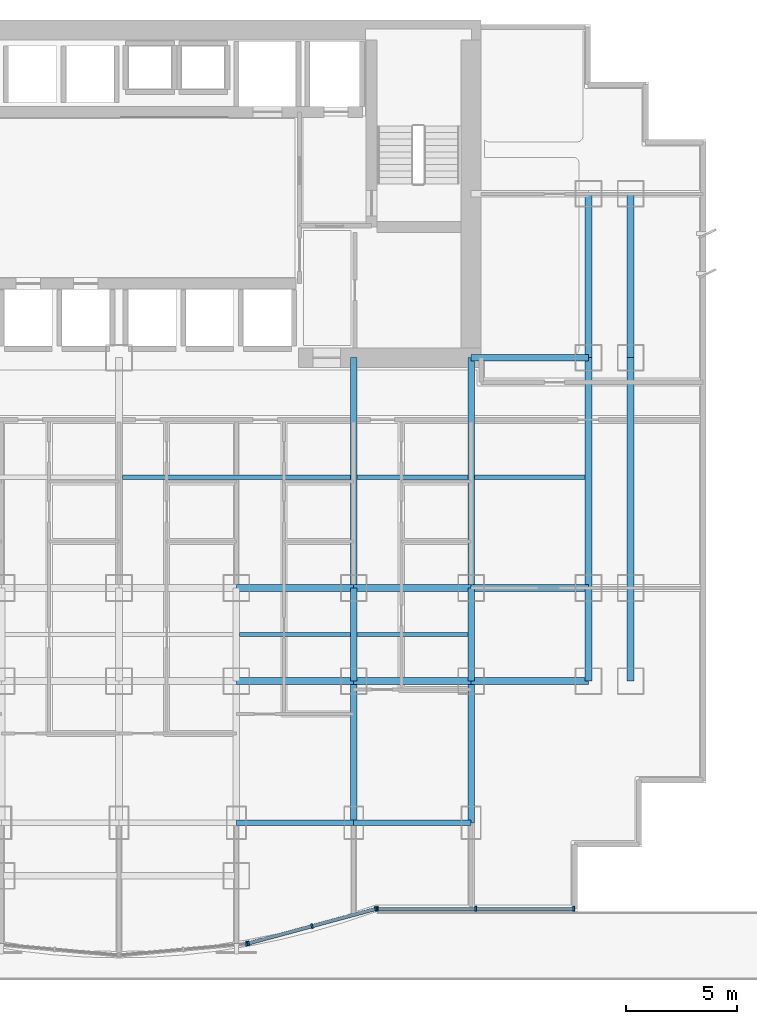
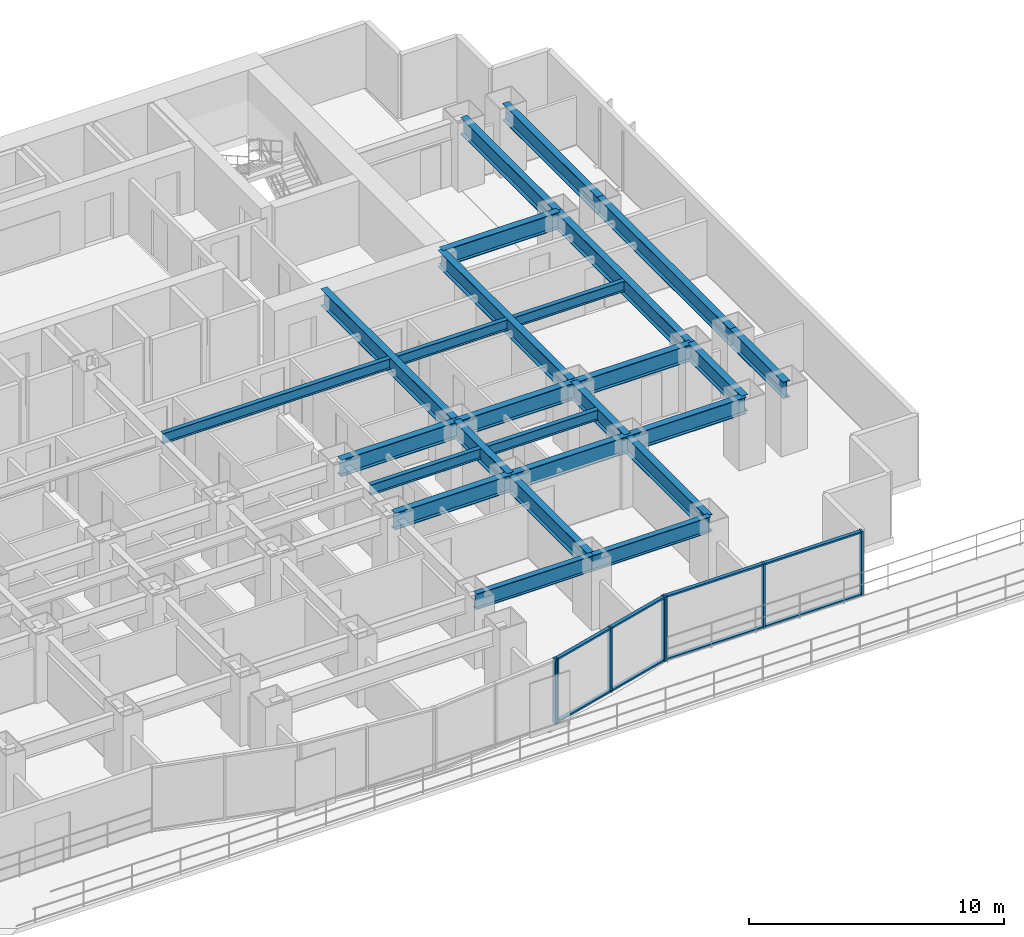
# One storey, part 3 of 11: 26 beams, 15 members, 3 elements without a shape of their own.
"""IFC4 building model written with IfcOpenShell, lengths in metres."""

from ifc_helpers import new_model, si_unit, direction, frame, origin, origin_2d, place, context, subcontext, project, spatial, rectangle, i_section, extrude, source, transform, mapped, material, layer, layer_set, material_profile, profile_set, type_object, element, aggregate, save


model = new_model("IFC4")

# Units and contexts
model_context = context("Model", 3, precision=1e-05, world=origin(), true_north=direction((0.0, 1.0)))
body_context = subcontext(model_context, "Body", "Model", "MODEL_VIEW")
ifc_project = project(units=[si_unit("LENGTHUNIT", "METRE"), si_unit("AREAUNIT", "SQUARE_METRE"), si_unit("VOLUMEUNIT", "CUBIC_METRE"), si_unit("PLANEANGLEUNIT", "RADIAN"), si_unit("MASSUNIT", "GRAM", prefix="KILO")], contexts=[model_context])

# Site, building, storey
site_placement = place(None, origin())
site = spatial("IfcSite", under=ifc_project, at=site_placement, CompositionType="ELEMENT")
building_placement = place(site_placement, origin())
building = spatial("IfcBuilding", under=site, at=building_placement, Name="Qianlan Lanfeng Residences", CompositionType="ELEMENT")
storey_placement = place(building_placement, frame((0.0, 0.0, 24.199951171875)))
storey = spatial("IfcBuildingStorey", under=building, at=storey_placement, Name="L05", CompositionType="ELEMENT", Elevation=24.199951171875)

# Beams
ifc_material_1 = material(Name="Steel SN490B", Category="steel")
ifc_material_profile_1 = material_profile(ifc_material_1, i_section(OverallWidth=0.300048828125, OverallDepth=0.800048828125, WebThickness=0.01611328125, FlangeThickness=0.028076171875, at=origin_2d()), Name="H 800x300x16x28")
ifc_profile_set_1 = profile_set([ifc_material_profile_1], Name="Steel SN490B")
beam_type_1 = type_object("IfcBeamType", Name="G-950", PredefinedType="BEAM", material=ifc_profile_set_1)
beam_1_placement = place(storey_placement, frame((31.800048828125, 10.60009765625, 2.679931640625), z_axis=(1.0, 0.0, 0.0), x_axis=(0.0, 1.0, 0.0)))
element("IfcBeam", 1, at=beam_1_placement, inside=storey, type_object=beam_type_1, Name="Structural beam G-950", PredefinedType="BEAM", context=body_context, shape_type="SweptSolid", body=[
    extrude(i_section(OverallWidth=0.300048828125, OverallDepth=0.800048828125, WebThickness=0.01611328125, FlangeThickness=0.028076171875, at=origin_2d()), origin(), (0.0, 0.0, 1.0), 5.300048828125),
])
beam_2_placement = place(storey_placement, frame((37.10009765625, 10.60009765625, 2.679931640625), z_axis=(1.0, 0.0, 0.0), x_axis=(0.0, 1.0, 0.0)))
element("IfcBeam", 2, at=beam_2_placement, inside=storey, type_object=beam_type_1, Name="Structural beam G-950", PredefinedType="BEAM", context=body_context, shape_type="SweptSolid", body=[
    extrude(i_section(OverallWidth=0.300048828125, OverallDepth=0.800048828125, WebThickness=0.01611328125, FlangeThickness=0.028076171875, at=origin_2d()), origin(), (0.0, 0.0, 1.0), 5.2998046875),
])
for number, where, z_axis, x_axis, name in (
    (3, (42.39990234375, 10.60009765625, 2.679931640625), (1.0, 0.0, 0.0), (0.0, 1.0, 0.0), "Structural beam G-950"),
    (4, (31.800048828125, 14.800048828125, 2.679931640625), (1.0, 0.0, 0.0), (0.0, 1.0, 0.0), "Structural beam G-950"),
):
    element("IfcBeam", number, at=place(storey_placement, frame(where, z_axis=z_axis, x_axis=x_axis)), inside=storey, type_object=beam_type_1, Name=name, PredefinedType="BEAM", context=body_context, shape_type="SweptSolid", body=[
        extrude(i_section(OverallWidth=0.300048828125, OverallDepth=0.800048828125, WebThickness=0.01611328125, FlangeThickness=0.028076171875, at=origin_2d()), origin(), (0.0, 0.0, 1.0), 5.300048828125),
    ])
beam_3_placement = place(storey_placement, frame((37.10009765625, 14.800048828125, 2.679931640625), z_axis=(1.0, 0.0, 0.0), x_axis=(0.0, 1.0, 0.0)))
element("IfcBeam", 5, at=beam_3_placement, inside=storey, type_object=beam_type_1, Name="Structural beam G-950", PredefinedType="BEAM", context=body_context, shape_type="SweptSolid", body=[
    extrude(i_section(OverallWidth=0.300048828125, OverallDepth=0.800048828125, WebThickness=0.01611328125, FlangeThickness=0.028076171875, at=origin_2d()), origin(), (0.0, 0.0, 1.0), 5.2998046875),
])
for number, where, z_axis, x_axis, name in (
    (6, (42.39990234375, 14.800048828125, 2.679931640625), (1.0, 0.0, 0.0), (0.0, 1.0, 0.0), "Structural beam G-950"),
    (7, (42.39990234375, 25.199951171875, 2.679931640625), (1.0, 0.0, 0.0), (0.0, 1.0, 0.0), "Structural beam G-950"),
):
    element("IfcBeam", number, at=place(storey_placement, frame(where, z_axis=z_axis, x_axis=x_axis)), inside=storey, type_object=beam_type_1, Name=name, PredefinedType="BEAM", context=body_context, shape_type="SweptSolid", body=[
        extrude(i_section(OverallWidth=0.300048828125, OverallDepth=0.800048828125, WebThickness=0.01611328125, FlangeThickness=0.028076171875, at=origin_2d()), origin(), (0.0, 0.0, 1.0), 5.300048828125),
    ])
beam_4_placement = place(storey_placement, frame((37.10009765625, 4.199951171875, 2.679931640625), z_axis=(0.0, 1.0, 0.0), x_axis=(-1.0, 0.0, 0.0)))
element("IfcBeam", 8, at=beam_4_placement, inside=storey, type_object=beam_type_1, Name="Structural beam G-950", PredefinedType="BEAM", context=body_context, shape_type="SweptSolid", body=[
    extrude(i_section(OverallWidth=0.300048828125, OverallDepth=0.800048828125, WebThickness=0.01611328125, FlangeThickness=0.028076171875, at=origin_2d()), origin(), (0.0, 0.0, 1.0), 6.400146484375),
])
beam_5_placement = place(storey_placement, frame((37.10009765625, 10.60009765625, 2.679931640625), z_axis=(0.0, 1.0, 0.0), x_axis=(-1.0, 0.0, 0.0)))
element("IfcBeam", 9, at=beam_5_placement, inside=storey, type_object=beam_type_1, Name="Structural beam G-950", PredefinedType="BEAM", context=body_context, shape_type="SweptSolid", body=[
    extrude(i_section(OverallWidth=0.300048828125, OverallDepth=0.800048828125, WebThickness=0.01611328125, FlangeThickness=0.028076171875, at=origin_2d()), origin(), (0.0, 0.0, 1.0), 4.199951171875),
])
beam_6_placement = place(storey_placement, frame((37.10009765625, 14.800048828125, 2.679931640625), z_axis=(0.0, 1.0, 0.0), x_axis=(-1.0, 0.0, 0.0)))
element("IfcBeam", 10, at=beam_6_placement, inside=storey, type_object=beam_type_1, Name="Structural beam G-950", PredefinedType="BEAM", context=body_context, shape_type="SweptSolid", body=[
    extrude(i_section(OverallWidth=0.300048828125, OverallDepth=0.800048828125, WebThickness=0.01611328125, FlangeThickness=0.028076171875, at=origin_2d()), origin(), (0.0, 0.0, 1.0), 10.39990234375),
])
beam_7_placement = place(storey_placement, frame((42.39990234375, 4.199951171875, 2.679931640625), z_axis=(0.0, 1.0, 0.0), x_axis=(-1.0, 0.0, 0.0)))
element("IfcBeam", 11, at=beam_7_placement, inside=storey, type_object=beam_type_1, Name="Structural beam G-950", PredefinedType="BEAM", context=body_context, shape_type="SweptSolid", body=[
    extrude(i_section(OverallWidth=0.300048828125, OverallDepth=0.800048828125, WebThickness=0.01611328125, FlangeThickness=0.028076171875, at=origin_2d()), origin(), (0.0, 0.0, 1.0), 6.400146484375),
])
beam_8_placement = place(storey_placement, frame((42.39990234375, 10.60009765625, 2.679931640625), z_axis=(0.0, 1.0, 0.0), x_axis=(-1.0, 0.0, 0.0)))
element("IfcBeam", 12, at=beam_8_placement, inside=storey, type_object=beam_type_1, Name="Structural beam G-950", PredefinedType="BEAM", context=body_context, shape_type="SweptSolid", body=[
    extrude(i_section(OverallWidth=0.300048828125, OverallDepth=0.800048828125, WebThickness=0.01611328125, FlangeThickness=0.028076171875, at=origin_2d()), origin(), (0.0, 0.0, 1.0), 4.199951171875),
])
beam_9_placement = place(storey_placement, frame((42.39990234375, 14.800048828125, 2.679931640625), z_axis=(0.0, 1.0, 0.0), x_axis=(-1.0, 0.0, 0.0)))
element("IfcBeam", 13, at=beam_9_placement, inside=storey, type_object=beam_type_1, Name="Structural beam G-950", PredefinedType="BEAM", context=body_context, shape_type="SweptSolid", body=[
    extrude(i_section(OverallWidth=0.300048828125, OverallDepth=0.800048828125, WebThickness=0.01611328125, FlangeThickness=0.028076171875, at=origin_2d()), origin(), (0.0, 0.0, 1.0), 10.39990234375),
])
beam_10_placement = place(storey_placement, frame((47.699951171875, 10.60009765625, 2.679931640625), z_axis=(0.0, 1.0, 0.0), x_axis=(-1.0, 0.0, 0.0)))
element("IfcBeam", 14, at=beam_10_placement, inside=storey, type_object=beam_type_1, Name="Structural beam G-950", PredefinedType="BEAM", context=body_context, shape_type="SweptSolid", body=[
    extrude(i_section(OverallWidth=0.300048828125, OverallDepth=0.800048828125, WebThickness=0.01611328125, FlangeThickness=0.028076171875, at=origin_2d()), origin(), (0.0, 0.0, 1.0), 4.199951171875),
])
beam_11_placement = place(storey_placement, frame((47.699951171875, 14.800048828125, 2.679931640625), z_axis=(0.0, 1.0, 0.0), x_axis=(-1.0, 0.0, 0.0)))
element("IfcBeam", 15, at=beam_11_placement, inside=storey, type_object=beam_type_1, Name="Structural beam G-950", PredefinedType="BEAM", context=body_context, shape_type="SweptSolid", body=[
    extrude(i_section(OverallWidth=0.300048828125, OverallDepth=0.800048828125, WebThickness=0.01611328125, FlangeThickness=0.028076171875, at=origin_2d()), origin(), (0.0, 0.0, 1.0), 10.39990234375),
])
beam_12_placement = place(storey_placement, frame((47.699951171875, 25.199951171875, 2.679931640625), z_axis=(0.0, 1.0, 0.0), x_axis=(-1.0, 0.0, 0.0)))
element("IfcBeam", 16, at=beam_12_placement, inside=storey, type_object=beam_type_1, Name="Structural beam G-950", PredefinedType="BEAM", context=body_context, shape_type="SweptSolid", body=[
    extrude(i_section(OverallWidth=0.300048828125, OverallDepth=0.800048828125, WebThickness=0.01611328125, FlangeThickness=0.028076171875, at=origin_2d()), origin(), (0.0, 0.0, 1.0), 7.400146484375),
])
beam_13_placement = place(storey_placement, frame((49.60009765625, 10.60009765625, 2.679931640625), z_axis=(0.0, 1.0, 0.0), x_axis=(-1.0, 0.0, 0.0)))
element("IfcBeam", 17, at=beam_13_placement, inside=storey, type_object=beam_type_1, Name="Structural beam G-950", PredefinedType="BEAM", context=body_context, shape_type="SweptSolid", body=[
    extrude(i_section(OverallWidth=0.300048828125, OverallDepth=0.800048828125, WebThickness=0.01611328125, FlangeThickness=0.028076171875, at=origin_2d()), origin(), (0.0, 0.0, 1.0), 4.199951171875),
])
beam_14_placement = place(storey_placement, frame((49.60009765625, 14.800048828125, 2.679931640625), z_axis=(0.0, 1.0, 0.0), x_axis=(-1.0, 0.0, 0.0)))
element("IfcBeam", 18, at=beam_14_placement, inside=storey, type_object=beam_type_1, Name="Structural beam G-950", PredefinedType="BEAM", context=body_context, shape_type="SweptSolid", body=[
    extrude(i_section(OverallWidth=0.300048828125, OverallDepth=0.800048828125, WebThickness=0.01611328125, FlangeThickness=0.028076171875, at=origin_2d()), origin(), (0.0, 0.0, 1.0), 10.39990234375),
])
beam_15_placement = place(storey_placement, frame((49.60009765625, 25.199951171875, 2.679931640625), z_axis=(0.0, 1.0, 0.0), x_axis=(-1.0, 0.0, 0.0)))
element("IfcBeam", 19, at=beam_15_placement, inside=storey, type_object=beam_type_1, Name="Structural beam G-950", PredefinedType="BEAM", context=body_context, shape_type="SweptSolid", body=[
    extrude(i_section(OverallWidth=0.300048828125, OverallDepth=0.800048828125, WebThickness=0.01611328125, FlangeThickness=0.028076171875, at=origin_2d()), origin(), (0.0, 0.0, 1.0), 7.400146484375),
])
ifc_material_profile_2 = material_profile(ifc_material_1, i_section(OverallWidth=0.199951171875, OverallDepth=0.5, WebThickness=0.010009765625, FlangeThickness=0.01611328125, at=origin_2d()), Name="H 500x200x10x16")
ifc_profile_set_2 = profile_set([ifc_material_profile_2], Name="Steel SN490B")
beam_type_2 = type_object("IfcBeamType", Name="J-500", PredefinedType="JOIST", material=ifc_profile_set_2)
for number, where, z_axis, x_axis, name in (
    (20, (31.949951171875, 12.699951171875, 2.830078125), (1.0, 0.0, 0.0), (0.0, 1.0, 0.0), "Structural beam J-500"),
    (21, (37.25, 12.699951171875, 2.830078125), (1.0, 0.0, 0.0), (0.0, 1.0, 0.0), "Structural beam J-500"),
):
    element("IfcBeam", number, at=place(storey_placement, frame(where, z_axis=z_axis, x_axis=x_axis)), inside=storey, type_object=beam_type_2, Name=name, PredefinedType="JOIST", context=body_context, shape_type="SweptSolid", body=[
        extrude(i_section(OverallWidth=0.199951171875, OverallDepth=0.5, WebThickness=0.010009765625, FlangeThickness=0.01611328125, at=origin_2d()), origin(), (0.0, 0.0, 1.0), 5.0),
    ])
beam_16_placement = place(storey_placement, frame((26.64990234375, 19.800048828125, 2.830078125), z_axis=(1.0, 0.0, 0.0), x_axis=(0.0, 1.0, 0.0)))
element("IfcBeam", 22, at=beam_16_placement, inside=storey, type_object=beam_type_2, Name="Structural beam J-500", PredefinedType="JOIST", context=body_context, shape_type="SweptSolid", body=[
    extrude(i_section(OverallWidth=0.199951171875, OverallDepth=0.5, WebThickness=0.010009765625, FlangeThickness=0.01611328125, at=origin_2d()), origin(), (0.0, 0.0, 1.0), 10.300048828125),
])
for number, where, z_axis, x_axis, name in (
    (23, (37.25, 19.800048828125, 2.830078125), (1.0, 0.0, 0.0), (0.0, 1.0, 0.0), "Structural beam J-500"),
    (24, (42.550048828125, 19.800048828125, 2.830078125), (1.0, 0.0, 0.0), (0.0, 1.0, 0.0), "Structural beam J-500"),
):
    element("IfcBeam", number, at=place(storey_placement, frame(where, z_axis=z_axis, x_axis=x_axis)), inside=storey, type_object=beam_type_2, Name=name, PredefinedType="JOIST", context=body_context, shape_type="SweptSolid", body=[
        extrude(i_section(OverallWidth=0.199951171875, OverallDepth=0.5, WebThickness=0.010009765625, FlangeThickness=0.01611328125, at=origin_2d()), origin(), (0.0, 0.0, 1.0), 5.0),
    ])
ifc_material_profile_3 = material_profile(ifc_material_1, i_section(OverallWidth=0.25, OverallDepth=0.75, WebThickness=0.013916015625, FlangeThickness=0.02490234375, at=origin_2d()), Name="H 750x250x14x25")
ifc_profile_set_3 = profile_set([ifc_material_profile_3], Name="Steel SN490B")
beam_type_3 = type_object("IfcBeamType", Name="SG-850", PredefinedType="SPANDREL", material=ifc_profile_set_3)
beam_17_placement = place(storey_placement, frame((31.800048828125, 4.199951171875, 2.705078125), z_axis=(1.0, 0.0, 0.0), x_axis=(0.0, 1.0, 0.0)))
element("IfcBeam", 25, at=beam_17_placement, inside=storey, type_object=beam_type_3, Name="Structural beam SG-850", PredefinedType="SPANDREL", context=body_context, shape_type="SweptSolid", body=[
    extrude(i_section(OverallWidth=0.25, OverallDepth=0.75, WebThickness=0.013916015625, FlangeThickness=0.02490234375, at=origin_2d()), origin(), (0.0, 0.0, 1.0), 5.300048828125),
])
beam_18_placement = place(storey_placement, frame((37.10009765625, 4.199951171875, 2.705078125), z_axis=(1.0, 0.0, 0.0), x_axis=(0.0, 1.0, 0.0)))
element("IfcBeam", 26, at=beam_18_placement, inside=storey, type_object=beam_type_3, Name="Structural beam SG-850", PredefinedType="SPANDREL", context=body_context, shape_type="SweptSolid", body=[
    extrude(i_section(OverallWidth=0.25, OverallDepth=0.75, WebThickness=0.013916015625, FlangeThickness=0.02490234375, at=origin_2d()), origin(), (0.0, 0.0, 1.0), 5.2998046875),
])

# Curtain wall, member
ifc_material_2 = material(Name="Anodised Bronze Aluminium 6063-T6", Category="aluminium")
ifc_layer = layer(ifc_material_2, 0.219970703125)
ifc_layer_set = layer_set([ifc_layer], Name="Anodised Bronze Aluminium 6063-T6")
curtain_wall_type = type_object("IfcCurtainWallType", Name="CW-02", PredefinedType="NOTDEFINED", material=ifc_layer_set)
curtain_wall_1_placement = place(storey_placement, origin())
curtain_wall_1 = element("IfcCurtainWall", 27, at=curtain_wall_1_placement, inside=storey, type_object=curtain_wall_type, Name="L05 Unitised Curtain Wall CWR-L05-03 (CW-02)", PredefinedType="NOTDEFINED")
ifc_material_profile_4 = material_profile(ifc_material_2, rectangle(XDim=0.080078125, YDim=0.2099609375, at=origin_2d()), Name="ALU MULLION 80x210")
ifc_profile_set_4 = profile_set([ifc_material_profile_4], Name="Anodised Bronze Aluminium 6063-T6")
member_type_1 = type_object("IfcMemberType", Name="CWM-220", PredefinedType="MULLION", material=ifc_profile_set_4)
shared_shape_1 = source(origin(), body_context, "Body", "SweptSolid", [
    extrude(rectangle(XDim=0.080078125, YDim=0.2099609375, at=origin_2d()), origin(), (0.0, 0.0, 1.0), 3.080078125),
])
member_1_placement = place(storey_placement, frame((32.26416015625, -1.260498046875, 0.0), z_axis=(0.0, 0.0, 1.0), x_axis=(0.995964677764, 0.089746089862, 0.0)))
member_1 = element("IfcMember", 28, at=member_1_placement, type_object=member_type_1, Name="CWR-L05-03 Mullion 3", PredefinedType="MULLION", context=body_context, shape_type="MappedRepresentation", body=[
    mapped(shared_shape_1, transform((0.0, 0.0, 0.0), scale=1.0)),
])
aggregate(curtain_wall_1, [member_1])

# Curtain wall, members
curtain_wall_2_placement = place(storey_placement, origin())
curtain_wall_2 = element("IfcCurtainWall", 29, at=curtain_wall_2_placement, inside=storey, type_object=curtain_wall_type, Name="L05 Unitised Curtain Wall CWR-L05-04 (CW-02)", PredefinedType="NOTDEFINED")
member_2_placement = place(storey_placement, frame((32.342529296875, -1.24658203125, 0.0), z_axis=(0.0, 0.0, 1.0), x_axis=(0.9652627173, 0.261281240412, 0.0)))
member_2 = element("IfcMember", 30, at=member_2_placement, type_object=member_type_1, Name="CWR-L05-04 Mullion 1", PredefinedType="MULLION", context=body_context, shape_type="MappedRepresentation", body=[
    mapped(shared_shape_1, transform((0.0, 0.0, 0.0), scale=1.0)),
])
member_3_placement = place(storey_placement, frame((35.217041015625, -0.468505859375, 0.0), z_axis=(0.0, 0.0, 1.0), x_axis=(0.9652627173, 0.261281240412, 0.0)))
member_3 = element("IfcMember", 31, at=member_3_placement, type_object=member_type_1, Name="CWR-L05-04 Mullion 2", PredefinedType="MULLION", context=body_context, shape_type="MappedRepresentation", body=[
    mapped(shared_shape_1, transform((0.0, 0.0, 0.0), scale=1.0)),
])
member_4_placement = place(storey_placement, frame((38.09130859375, 0.3095703125, 0.0), z_axis=(0.0, 0.0, 1.0), x_axis=(0.9652627173, 0.261281240412, 0.0)))
member_4 = element("IfcMember", 32, at=member_4_placement, type_object=member_type_1, Name="CWR-L05-04 Mullion 3", PredefinedType="MULLION", context=body_context, shape_type="MappedRepresentation", body=[
    mapped(shared_shape_1, transform((0.0, 0.0, 0.0), scale=1.0)),
])

curtain_wall_3_placement = place(storey_placement, origin())
curtain_wall_3 = element("IfcCurtainWall", 33, at=curtain_wall_3_placement, inside=storey, type_object=curtain_wall_type, Name="L05 Unitised Curtain Wall CWR-L05-05 (CW-02)", PredefinedType="NOTDEFINED")
member_5_placement = place(storey_placement, frame((38.169921875, 0.320068359375, 0.0), z_axis=(0.0, 0.0, 1.0), x_axis=(1.0, 0.0, 0.0)))
member_5 = element("IfcMember", 34, at=member_5_placement, type_object=member_type_1, Name="CWR-L05-05 Mullion 1", PredefinedType="MULLION", context=body_context, shape_type="MappedRepresentation", body=[
    mapped(shared_shape_1, transform((0.0, 0.0, 0.0), scale=1.0)),
])
member_6_placement = place(storey_placement, frame((42.60498046875, 0.320068359375, 0.0), z_axis=(0.0, 0.0, 1.0), x_axis=(1.0, 0.0, 0.0)))
member_6 = element("IfcMember", 35, at=member_6_placement, type_object=member_type_1, Name="CWR-L05-05 Mullion 2", PredefinedType="MULLION", context=body_context, shape_type="MappedRepresentation", body=[
    mapped(shared_shape_1, transform((0.0, 0.0, 0.0), scale=1.0)),
])
member_7_placement = place(storey_placement, frame((47.0400390625, 0.320068359375, 0.0), z_axis=(0.0, 0.0, 1.0), x_axis=(1.0, 0.0, 0.0)))
member_7 = element("IfcMember", 36, at=member_7_placement, type_object=member_type_1, Name="CWR-L05-05 Mullion 3", PredefinedType="MULLION", context=body_context, shape_type="MappedRepresentation", body=[
    mapped(shared_shape_1, transform((0.0, 0.0, 0.0), scale=1.0)),
])

# Member
ifc_material_profile_5 = material_profile(ifc_material_2, rectangle(XDim=0.080078125, YDim=0.159912109375, at=origin_2d()), Name="ALU TRANSOM 80x160")
ifc_profile_set_5 = profile_set([ifc_material_profile_5], Name="Anodised Bronze Aluminium 6063-T6")
member_type_2 = type_object("IfcMemberType", Name="CWT-180", PredefinedType="USERDEFINED", material=ifc_profile_set_5)
shared_shape_2 = source(origin(), body_context, "Body", "SweptSolid", [
    extrude(rectangle(XDim=0.080078125, YDim=0.159912109375, at=origin_2d()), origin(), (0.0, 0.0, 1.0), 2.897705078125),
])
member_8_placement = place(storey_placement, frame((35.255615234375, -0.4580078125, 0.0400390625), z_axis=(0.965267548724, 0.261263390817, 0.0), x_axis=(0.0, 0.0, 1.0)))
member_8 = element("IfcMember", 37, at=member_8_placement, type_object=member_type_2, Name="CWR-L05-04 Transom 2-BOT", ObjectType="TRANSOM", PredefinedType="USERDEFINED", context=body_context, shape_type="MappedRepresentation", body=[
    mapped(shared_shape_2, transform((0.0, 0.0, 0.0), scale=1.0)),
])

member_9_placement = place(storey_placement, frame((35.255615234375, -0.4580078125, 3.0400390625), z_axis=(0.965267548724, 0.261263390817, 0.0), x_axis=(0.0, 0.0, 1.0)))
member_9 = element("IfcMember", 38, at=member_9_placement, type_object=member_type_2, Name="CWR-L05-04 Transom 2-TOP", ObjectType="TRANSOM", PredefinedType="USERDEFINED", context=body_context, shape_type="MappedRepresentation", body=[
    mapped(shared_shape_2, transform((0.0, 0.0, 0.0), scale=1.0)),
])

shared_shape_3 = source(origin(), body_context, "Body", "SweptSolid", [
    extrude(rectangle(XDim=0.080078125, YDim=0.159912109375, at=origin_2d()), origin(), (0.0, 0.0, 1.0), 2.89794921875),
])
member_10_placement = place(storey_placement, frame((32.381103515625, -1.236083984375, 0.0400390625), z_axis=(0.965273298897, 0.261242145215, 0.0), x_axis=(0.0, 0.0, 1.0)))
member_10 = element("IfcMember", 39, at=member_10_placement, type_object=member_type_2, Name="CWR-L05-04 Transom 1-BOT", ObjectType="TRANSOM", PredefinedType="USERDEFINED", context=body_context, shape_type="MappedRepresentation", body=[
    mapped(shared_shape_3, transform((0.0, 0.0, 0.0), scale=1.0)),
])

member_11_placement = place(storey_placement, frame((32.381103515625, -1.236083984375, 3.0400390625), z_axis=(0.965273298897, 0.261242145215, 0.0), x_axis=(0.0, 0.0, 1.0)))
member_11 = element("IfcMember", 40, at=member_11_placement, type_object=member_type_2, Name="CWR-L05-04 Transom 1-TOP", ObjectType="TRANSOM", PredefinedType="USERDEFINED", context=body_context, shape_type="MappedRepresentation", body=[
    mapped(shared_shape_3, transform((0.0, 0.0, 0.0), scale=1.0)),
])

aggregate(curtain_wall_2, [member_2, member_3, member_4, member_10, member_11, member_8, member_9])

shared_shape_4 = source(origin(), body_context, "Body", "SweptSolid", [
    extrude(rectangle(XDim=0.080078125, YDim=0.159912109375, at=origin_2d()), origin(), (0.0, 0.0, 1.0), 4.35498046875),
])
member_12_placement = place(storey_placement, frame((38.2099609375, 0.320068359375, 0.0400390625), z_axis=(1.0, 0.0, 0.0), x_axis=(0.0, 0.0, 1.0)))
member_12 = element("IfcMember", 41, at=member_12_placement, type_object=member_type_2, Name="CWR-L05-05 Transom 1-BOT", ObjectType="TRANSOM", PredefinedType="USERDEFINED", context=body_context, shape_type="MappedRepresentation", body=[
    mapped(shared_shape_4, transform((0.0, 0.0, 0.0), scale=1.0)),
])

member_13_placement = place(storey_placement, frame((38.2099609375, 0.320068359375, 3.0400390625), z_axis=(1.0, 0.0, 0.0), x_axis=(0.0, 0.0, 1.0)))
member_13 = element("IfcMember", 42, at=member_13_placement, type_object=member_type_2, Name="CWR-L05-05 Transom 1-TOP", ObjectType="TRANSOM", PredefinedType="USERDEFINED", context=body_context, shape_type="MappedRepresentation", body=[
    mapped(shared_shape_4, transform((0.0, 0.0, 0.0), scale=1.0)),
])

member_14_placement = place(storey_placement, frame((42.64501953125, 0.320068359375, 0.0400390625), z_axis=(1.0, 0.0, 0.0), x_axis=(0.0, 0.0, 1.0)))
member_14 = element("IfcMember", 43, at=member_14_placement, type_object=member_type_2, Name="CWR-L05-05 Transom 2-BOT", ObjectType="TRANSOM", PredefinedType="USERDEFINED", context=body_context, shape_type="MappedRepresentation", body=[
    mapped(shared_shape_4, transform((0.0, 0.0, 0.0), scale=1.0)),
])

member_15_placement = place(storey_placement, frame((42.64501953125, 0.320068359375, 3.0400390625), z_axis=(1.0, 0.0, 0.0), x_axis=(0.0, 0.0, 1.0)))
member_15 = element("IfcMember", 44, at=member_15_placement, type_object=member_type_2, Name="CWR-L05-05 Transom 2-TOP", ObjectType="TRANSOM", PredefinedType="USERDEFINED", context=body_context, shape_type="MappedRepresentation", body=[
    mapped(shared_shape_4, transform((0.0, 0.0, 0.0), scale=1.0)),
])

aggregate(curtain_wall_3, [member_5, member_6, member_7, member_12, member_13, member_14, member_15])

save(model, "model.ifc")
